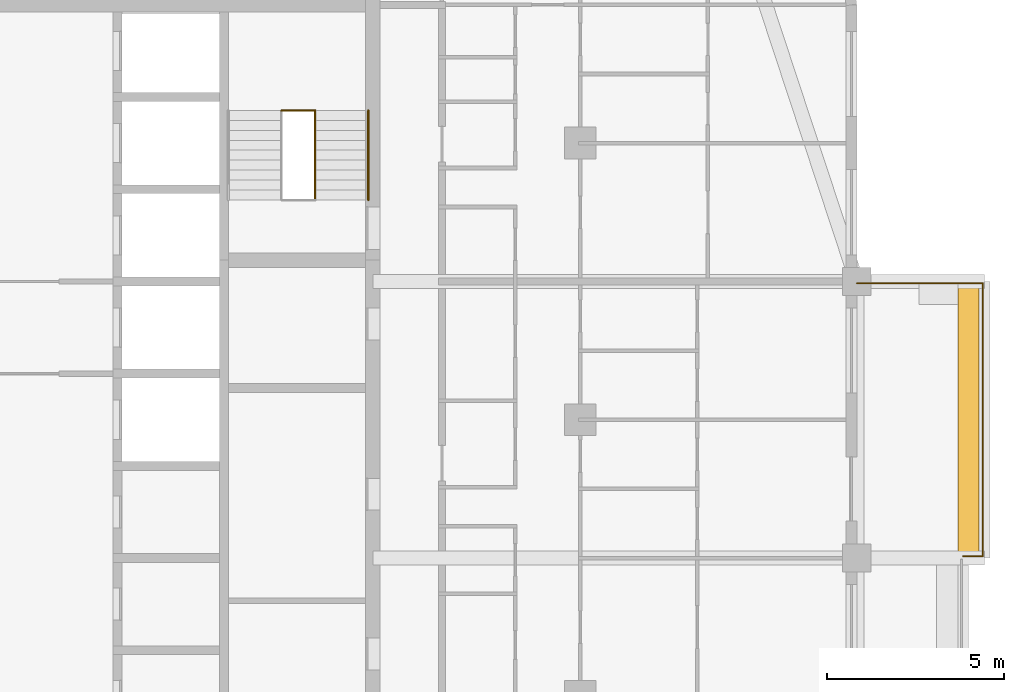
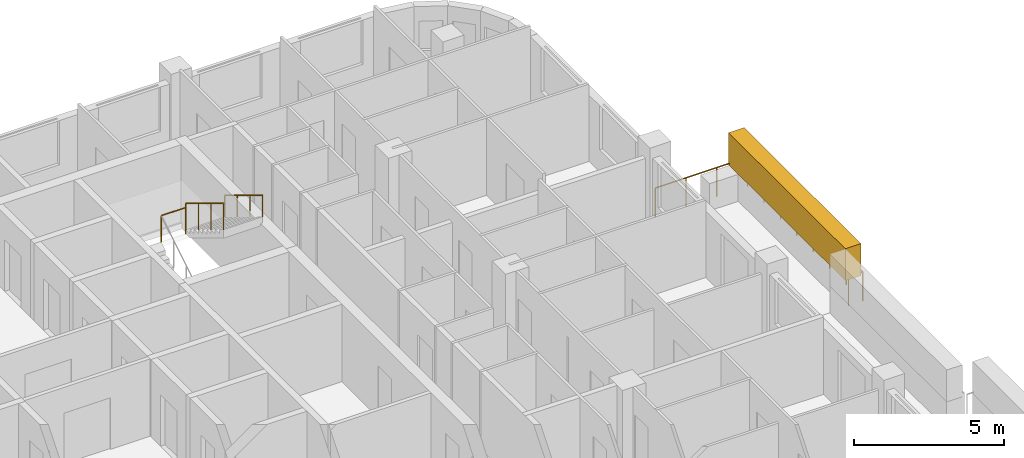
# One storey, part 16 of 17: 4 railings, 1 covering, 1 element without a shape of its own.
"""IFC4 building model written with IfcOpenShell, lengths in metres."""

from ifc_helpers import new_model, si_unit, direction, frame, origin, origin_2d, place, context, subcontext, project, spatial, rectangle, circle, extrude, material, layer, layer_set, type_object, element, aggregate, save


model = new_model("IFC4")

# Units and contexts
model_context = context("Model", 3, precision=1e-05, world=origin(), true_north=direction((0.0, 1.0)))
body_context = subcontext(model_context, "Body", "Model", "MODEL_VIEW")
ifc_project = project(units=[si_unit("LENGTHUNIT", "METRE"), si_unit("AREAUNIT", "SQUARE_METRE"), si_unit("VOLUMEUNIT", "CUBIC_METRE"), si_unit("PLANEANGLEUNIT", "RADIAN"), si_unit("MASSUNIT", "GRAM", prefix="KILO")], contexts=[model_context])

# Site, building, storey
site_placement = place(None, origin())
site = spatial("IfcSite", under=ifc_project, at=site_placement, CompositionType="ELEMENT")
building_placement = place(site_placement, origin())
building = spatial("IfcBuilding", under=site, at=building_placement, Name="Ludao Terraces", CompositionType="ELEMENT")
storey_placement = place(building_placement, frame((0.0, 0.0, 221.10009765625)))
storey = spatial("IfcBuildingStorey", under=building, at=storey_placement, Name="L60", CompositionType="ELEMENT", Elevation=221.10009765625)

# Railing
ifc_material_1 = material(Name="Stainless steel 304", Category="steel")
railing_type_1 = type_object("IfcRailingType", Name="ENV Balcony glass guard 1200", PredefinedType="GUARDRAIL", material=ifc_material_1)
railing_1_placement = place(storey_placement, frame((111.39990234375, 68.949951171875, 0.0)))
element("IfcRailing", 1, at=railing_1_placement, inside=storey, type_object=railing_type_1, Name="Balcony guard L60 E3", PredefinedType="GUARDRAIL", context=body_context, shape_type="SweptSolid", body=[
    extrude(circle(Radius=0.02392578125, at=origin_2d()), frame((0.0, 0.0, 1.17578125), z_axis=(1.0, 0.0, 0.0), x_axis=(0.0, 1.0, 0.0)), (0.0, 0.0, 1.0), 0.550048828125),
    extrude(circle(Radius=0.02392578125, at=origin_2d()), frame((0.550048828125, 0.0, 1.17578125), z_axis=(0.0, 1.0, 0.0), x_axis=(-1.0, 0.0, 0.0)), (0.0, 0.0, 1.0), 7.699951171875),
    extrude(circle(Radius=0.02392578125, at=origin_2d()), frame((0.550048828125, 7.699951171875, 1.17578125), z_axis=(-1.0, 0.0, 0.0), x_axis=(0.0, -1.0, 0.0)), (0.0, 0.0, 1.0), 3.550048828125),
    extrude(circle(Radius=0.02099609375, at=origin_2d()), origin(), (0.0, 0.0, 1.0), 1.15185546875),
    extrude(circle(Radius=0.02099609375, at=origin_2d()), frame((0.550048828125, 0.0, 0.0)), (0.0, 0.0, 1.0), 1.15185546875),
    extrude(circle(Radius=0.02099609375, at=origin_2d()), frame((0.550048828125, 1.10009765625, 0.0)), (0.0, 0.0, 1.0), 1.15185546875),
    extrude(circle(Radius=0.02099609375, at=origin_2d()), frame((0.550048828125, 2.199951171875, 0.0)), (0.0, 0.0, 1.0), 1.15185546875),
    extrude(circle(Radius=0.02099609375, at=origin_2d()), frame((0.550048828125, 3.300048828125, 0.0)), (0.0, 0.0, 1.0), 1.15185546875),
    extrude(circle(Radius=0.02099609375, at=origin_2d()), frame((0.550048828125, 4.39990234375, 0.0)), (0.0, 0.0, 1.0), 1.15185546875),
    extrude(circle(Radius=0.02099609375, at=origin_2d()), frame((0.550048828125, 5.5, 0.0)), (0.0, 0.0, 1.0), 1.15185546875),
    extrude(circle(Radius=0.02099609375, at=origin_2d()), frame((0.550048828125, 6.599853515625, 0.0)), (0.0, 0.0, 1.0), 1.15185546875),
    extrude(circle(Radius=0.02099609375, at=origin_2d()), frame((0.550048828125, 7.699951171875, 0.0)), (0.0, 0.0, 1.0), 1.15185546875),
    extrude(circle(Radius=0.02099609375, at=origin_2d()), frame((-0.63330078125, 7.699951171875, 0.0)), (0.0, 0.0, 1.0), 1.15185546875),
    extrude(circle(Radius=0.02099609375, at=origin_2d()), frame((-1.816650390625, 7.699951171875, 0.0)), (0.0, 0.0, 1.0), 1.15185546875),
    extrude(circle(Radius=0.02099609375, at=origin_2d()), frame((-3.0, 7.699951171875, 0.0)), (0.0, 0.0, 1.0), 1.15185546875),
])

# Covering
ifc_material_2 = material(Name="Planting")
ifc_layer = layer(ifc_material_2, 0.60009765625)
ifc_layer_set = layer_set([ifc_layer], Name="ENV Planting hedge 600x1300")
covering_type = type_object("IfcCoveringType", Name="ENV Planting hedge 600x1300", PredefinedType="USERDEFINED", material=ifc_layer_set)
covering_placement = place(storey_placement, frame((111.550048828125, 72.800048828125, 1.10009765625), z_axis=(0.0, 0.0, 1.0), x_axis=(1.0, 0.0, 0.0)))
element("IfcCovering", 2, at=covering_placement, inside=storey, type_object=covering_type, Name="Planting hedge L60-E3", ObjectType="PLANTING", PredefinedType="USERDEFINED", context=body_context, shape_type="SweptSolid", body=[
    extrude(rectangle(XDim=0.60009765625, YDim=7.800048828125, at=origin_2d()), origin(), (0.0, 0.0, 1.0), 1.300048828125),
])

# Stair, railings
ifc_material_3 = material(Name="Concrete C40", Category="concrete")
stair_type = type_object("IfcStairType", Name="INT Stair", PredefinedType="HALF_TURN_STAIR", material=ifc_material_3)
stair_placement = place(storey_placement, origin())
stair = element("IfcStair", 3, at=stair_placement, inside=storey, type_object=stair_type, Name="EXIT STAIR 2", PredefinedType="HALF_TURN_STAIR")
railing_type_2 = type_object("IfcRailingType", Name="INT Stair guard 1100", PredefinedType="GUARDRAIL", material=ifc_material_1)
railing_2_placement = place(storey_placement, frame((93.125, 81.52001953125, 1.869873046875)))
railing_2 = element("IfcRailing", 4, at=railing_2_placement, type_object=railing_type_2, Name="ST-L60-S2-R2G", PredefinedType="GUARDRAIL", context=body_context, shape_type="SweptSolid", body=[
    extrude(circle(Radius=0.02392578125, at=origin_2d()), frame((0.0, 0.0, 1.076171875), z_axis=(0.0, -0.85478489116, 0.518982456201), x_axis=(1.0, 0.0, 0.0)), (0.0, 0.0, 1.0), 2.9482421875),
    extrude(circle(Radius=0.02099609375, at=origin_2d()), origin(), (0.0, 0.0, 1.0), 1.052001953125),
    extrude(circle(Radius=0.02099609375, at=origin_2d()), frame((0.0, -0.840087890625, 0.510009765625)), (0.0, 0.0, 1.0), 1.052001953125),
    extrude(circle(Radius=0.02099609375, at=origin_2d()), frame((0.0, -1.679931640625, 1.02001953125)), (0.0, 0.0, 1.0), 1.052001953125),
    extrude(circle(Radius=0.02099609375, at=origin_2d()), frame((0.0, -2.52001953125, 1.530029296875)), (0.0, 0.0, 1.0), 1.052001953125),
])
railing_3_placement = place(storey_placement, frame((92.175048828125, 81.52001953125, 1.699951171875)))
railing_3 = element("IfcRailing", 5, at=railing_3_placement, type_object=railing_type_2, Name="ST-L60-S2-E1G", PredefinedType="GUARDRAIL", context=body_context, shape_type="SweptSolid", body=[
    extrude(circle(Radius=0.02392578125, at=origin_2d()), frame((0.0, 0.0, 1.076171875), z_axis=(1.0, 0.0, 0.0), x_axis=(0.0, 1.0, 0.0)), (0.0, 0.0, 1.0), 0.949951171875),
    extrude(circle(Radius=0.02099609375, at=origin_2d()), origin(), (0.0, 0.0, 1.0), 1.052001953125),
    extrude(circle(Radius=0.02099609375, at=origin_2d()), frame((0.949951171875, 0.0, 0.0)), (0.0, 0.0, 1.0), 1.052001953125),
])
railing_type_3 = type_object("IfcRailingType", Name="INT Stair handrail 900", PredefinedType="HANDRAIL", material=ifc_material_1)
railing_4_placement = place(storey_placement, frame((94.625, 81.52001953125, 1.869873046875)))
railing_4 = element("IfcRailing", 6, at=railing_4_placement, type_object=railing_type_3, Name="ST-L60-S2-R2H", PredefinedType="HANDRAIL", context=body_context, shape_type="SweptSolid", body=[
    extrude(circle(Radius=0.02392578125, at=origin_2d()), frame((0.0, 0.0, 0.8759765625), z_axis=(0.0, -0.85478489116, 0.518982456201), x_axis=(1.0, 0.0, 0.0)), (0.0, 0.0, 1.0), 2.9482421875),
    extrude(circle(Radius=0.02099609375, at=origin_2d()), origin(), (0.0, 0.0, 1.0), 0.851806640625),
    extrude(circle(Radius=0.02099609375, at=origin_2d()), frame((0.0, -0.840087890625, 0.510009765625)), (0.0, 0.0, 1.0), 0.851806640625),
    extrude(circle(Radius=0.02099609375, at=origin_2d()), frame((0.0, -1.679931640625, 1.02001953125)), (0.0, 0.0, 1.0), 0.851806640625),
    extrude(circle(Radius=0.02099609375, at=origin_2d()), frame((0.0, -2.52001953125, 1.530029296875)), (0.0, 0.0, 1.0), 0.851806640625),
])
aggregate(stair, [railing_2, railing_4, railing_3])

save(model, "model.ifc")
